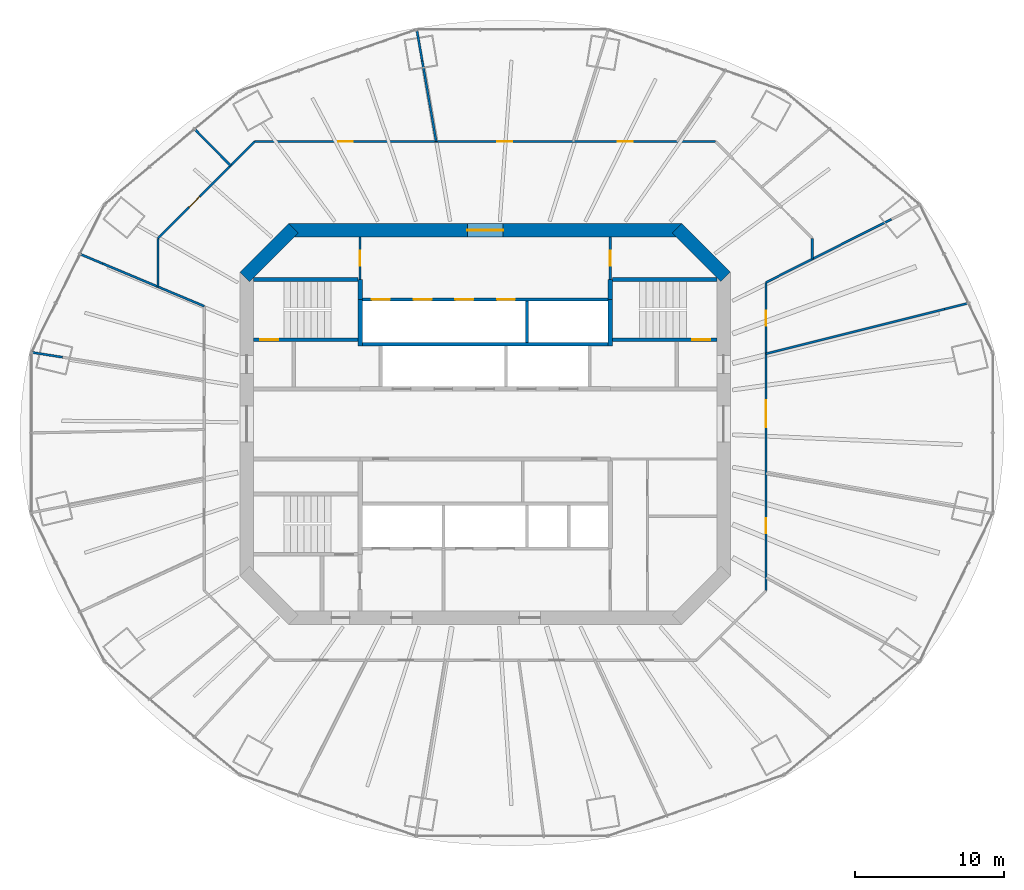
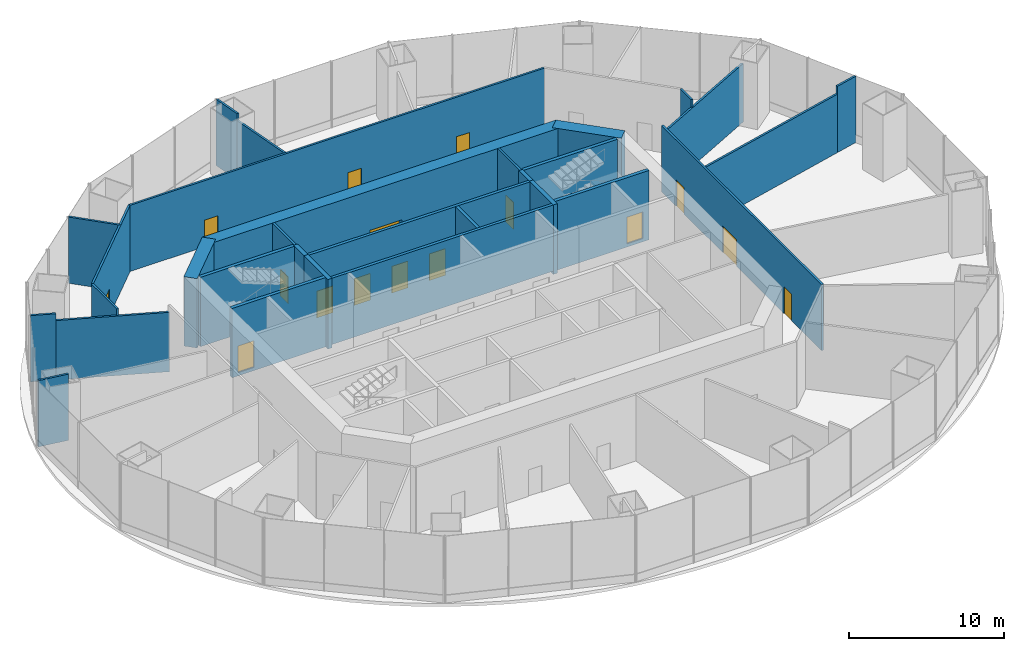
# One storey, part 13 of 15: 30 walls, 16 doors, 16 openings.
"""IFC4 building model written with IfcOpenShell, lengths in metres."""

from ifc_helpers import new_model, si_unit, direction, frame, frame_2d, origin, place, context, subcontext, project, spatial, rectangle, extrude, material, layer, layer_set, type_object, element, fill, save


model = new_model("IFC4")

# Units and contexts
model_context = context("Model", 3, precision=1e-05, world=origin(), true_north=direction((0.0, 1.0)))
body_context = subcontext(model_context, "Body", "Model", "MODEL_VIEW")
ifc_project = project(units=[si_unit("LENGTHUNIT", "METRE"), si_unit("AREAUNIT", "SQUARE_METRE"), si_unit("VOLUMEUNIT", "CUBIC_METRE"), si_unit("PLANEANGLEUNIT", "RADIAN"), si_unit("MASSUNIT", "GRAM", prefix="KILO")], contexts=[model_context])

# Site, building, storey
site_placement = place(None, origin())
site = spatial("IfcSite", under=ifc_project, at=site_placement, CompositionType="ELEMENT")
building_placement = place(site_placement, origin())
building = spatial("IfcBuilding", under=site, at=building_placement, Name="Marenthal Gate Tower", CompositionType="ELEMENT")
storey_placement = place(building_placement, frame((0.0, 0.0, 155.64990234375)))
storey = spatial("IfcBuildingStorey", under=building, at=storey_placement, Name="L33", CompositionType="ELEMENT", Elevation=155.64990234375)

# Wall
ifc_material_1 = material(Name="Concrete 60 MPa", Category="concrete")
ifc_layer_1 = layer(ifc_material_1, 0.89990234375)
ifc_layer_set_1 = layer_set([ifc_layer_1], Name="Core shear wall 900")
wall_type_1 = type_object("IfcWallType", Name="Core shear wall 900", PredefinedType="SHEAR", material=ifc_layer_set_1)
wall_1_placement = place(storey_placement, frame((16.1318359375, 9.8681640625, -0.25), z_axis=(0.0, 0.0, 1.0), x_axis=(-0.707106781187, 0.707106781187, 0.0)))
element("IfcWall", 1, at=wall_1_placement, inside=storey, type_object=wall_type_1, Name="Core wall 03", PredefinedType="SHEAR", context=body_context, shape_type="SweptSolid", body=[
    extrude(rectangle(XDim=4.615478515625, YDim=0.89990234375, at=frame_2d((2.3076171875, 0.0))), origin(), (0.0, 0.0, 1.0), 5.47021484375),
])

# Wall, opening, door
wall_2_placement = place(storey_placement, frame((13.186279296875, 13.0, -0.25), z_axis=(0.0, 0.0, 1.0), x_axis=(-1.0, 0.0, 0.0)))
wall_2 = element("IfcWall", 2, at=wall_2_placement, inside=storey, type_object=wall_type_1, Name="Core wall 04", PredefinedType="SHEAR", context=body_context, shape_type="SweptSolid", body=[
    extrude(rectangle(XDim=26.37255859375, YDim=0.89990234375, at=frame_2d((13.186279296875, 0.0))), origin(), (0.0, 0.0, 1.0), 5.47021484375),
])
opening_1_placement = place(wall_2_placement, frame((11.986328125, 0.0, 0.25)))
opening_1 = element("IfcOpeningElement", 3, at=opening_1_placement, cuts=wall_2, Name="Opening D003.03", PredefinedType="OPENING", context=body_context, shape_type="SweptSolid", body=[
    extrude(rectangle(XDim=2.39990234375, YDim=2.10009765625, at=frame_2d((1.199951171875, 1.050048828125))), frame((0.0, 0.4599609375, 0.0), z_axis=(0.0, -1.0, 0.0), x_axis=(1.0, 0.0, 0.0)), (0.0, 0.0, 1.0), 0.919921875),
])
ifc_material_2 = material(Name="Steel fire door", Category="steel")
door_type_1 = type_object("IfcDoorType", Name="Double fire door FD 45 2400 x 2100", OperationType="DOUBLE_DOOR_SINGLE_SWING", PredefinedType="DOOR", material=ifc_material_2)
door_1_placement = place(opening_1_placement, origin())
door_1 = element("IfcDoor", 4, at=door_1_placement, inside=storey, type_object=door_type_1, Name="Door D003.03", OperationType="DOUBLE_DOOR_SINGLE_SWING", OverallHeight=2.10009765625, OverallWidth=2.39990234375, PredefinedType="DOOR", context=body_context, shape_type="SweptSolid", body=[
    extrude(rectangle(XDim=2.39990234375, YDim=2.10009765625, at=frame_2d((1.199951171875, 1.050048828125))), frame((0.0, 0.02490234375, 0.0), z_axis=(0.0, -1.0, 0.0), x_axis=(1.0, 0.0, 0.0)), (0.0, 0.0, 1.0), 0.050048828125),
])
fill(opening_1, door_1)

# Walls
wall_3_placement = place(storey_placement, frame((-12.8681640625, 13.1318359375, -0.25), z_axis=(0.0, 0.0, 1.0), x_axis=(-0.707106781187, -0.707106781187, 0.0)))
element("IfcWall", 5, at=wall_3_placement, inside=storey, type_object=wall_type_1, Name="Core wall 05", PredefinedType="SHEAR", context=body_context, shape_type="SweptSolid", body=[
    extrude(rectangle(XDim=4.615478515625, YDim=0.89990234375, at=frame_2d((2.3076171875, 0.0))), origin(), (0.0, 0.0, 1.0), 5.47021484375),
])
ifc_material_3 = material(Name="Concrete 50 MPa", Category="concrete")
ifc_layer_2 = layer(ifc_material_3, 0.300048828125)
ifc_layer_set_2 = layer_set([ifc_layer_2], Name="Hoistway shear wall 300")
wall_type_2 = type_object("IfcWallType", Name="Hoistway shear wall 300", PredefinedType="SHEAR", material=ifc_layer_set_2)
for number, where, z_axis, x_axis, name in (
    (6, (-8.39990234375, 5.239990234375, -0.25), (0.0, 0.0, 1.0), (0.0, 1.0, 0.0), "Hoistway wall 31"),
    (7, (8.39990234375, 5.239990234375, -0.25), (0.0, 0.0, 1.0), (0.0, 1.0, 0.0), "Hoistway wall 45"),
):
    element("IfcWall", number, at=place(storey_placement, frame(where, z_axis=z_axis, x_axis=x_axis)), inside=storey, type_object=wall_type_2, Name=name, PredefinedType="SHEAR", context=body_context, shape_type="SweptSolid", body=[
        extrude(rectangle(XDim=3.110107421875, YDim=0.300048828125, at=frame_2d((1.55517578125, 0.0))), origin(), (0.0, 0.0, 1.0), 5.47021484375),
    ])
ifc_material_4 = material(Name="Concrete 40 MPa", Category="concrete")
ifc_layer_3 = layer(ifc_material_4, 0.219970703125)
ifc_layer_set_3 = layer_set([ifc_layer_3], Name="Hoistway wall 220")
wall_type_3 = type_object("IfcWallType", Name="Hoistway wall 220", PredefinedType="STANDARD", material=ifc_layer_set_3)
wall_4_placement = place(storey_placement, frame((-8.25, 5.35009765625, 0.0), z_axis=(0.0, 0.0, 1.0), x_axis=(1.0, 0.0, 0.0)))
element("IfcWall", 8, at=wall_4_placement, inside=storey, type_object=wall_type_3, Name="Hoistway wall 21", PredefinedType="STANDARD", context=body_context, shape_type="SweptSolid", body=[
    extrude(rectangle(XDim=16.5, YDim=0.219970703125, at=frame_2d((8.25, 0.0))), origin(), (0.0, 0.0, 1.0), 5.22021484375),
])

# Wall, openings, doors
wall_5_placement = place(storey_placement, frame((-8.25, 8.35009765625, 0.0), z_axis=(0.0, 0.0, 1.0), x_axis=(1.0, 0.0, 0.0)))
wall_5 = element("IfcWall", 9, at=wall_5_placement, inside=storey, type_object=wall_type_3, Name="Hoistway wall 24", PredefinedType="STANDARD", context=body_context, shape_type="SweptSolid", body=[
    extrude(rectangle(XDim=16.5, YDim=0.219970703125, at=frame_2d((8.25, 0.0))), origin(), (0.0, 0.0, 1.0), 5.22021484375),
])
opening_2_placement = place(wall_5_placement, frame((0.64990234375, 0.0, 0.0)))
opening_2 = element("IfcOpeningElement", 10, at=opening_2_placement, cuts=wall_5, Name="Opening LD-SH1", PredefinedType="OPENING", context=body_context, shape_type="SweptSolid", body=[
    extrude(rectangle(XDim=1.199951171875, YDim=2.10009765625, at=frame_2d((0.60009765625, 1.050048828125))), frame((0.0, 0.1201171875, 0.0), z_axis=(0.0, -1.0, 0.0), x_axis=(1.0, 0.0, 0.0)), (0.0, 0.0, 1.0), 0.239990234375),
])
opening_3_placement = place(wall_5_placement, frame((3.449951171875, 0.0, 0.0)))
opening_3 = element("IfcOpeningElement", 11, at=opening_3_placement, cuts=wall_5, Name="Opening LD-SH2", PredefinedType="OPENING", context=body_context, shape_type="SweptSolid", body=[
    extrude(rectangle(XDim=1.199951171875, YDim=2.10009765625, at=frame_2d((0.60009765625, 1.050048828125))), frame((0.0, 0.1201171875, 0.0), z_axis=(0.0, -1.0, 0.0), x_axis=(1.0, 0.0, 0.0)), (0.0, 0.0, 1.0), 0.239990234375),
])
opening_4_placement = place(wall_5_placement, frame((6.25, 0.0, 0.0)))
opening_4 = element("IfcOpeningElement", 12, at=opening_4_placement, cuts=wall_5, Name="Opening LD-SH3", PredefinedType="OPENING", context=body_context, shape_type="SweptSolid", body=[
    extrude(rectangle(XDim=1.199951171875, YDim=2.10009765625, at=frame_2d((0.60009765625, 1.050048828125))), frame((0.0, 0.1201171875, 0.0), z_axis=(0.0, -1.0, 0.0), x_axis=(1.0, 0.0, 0.0)), (0.0, 0.0, 1.0), 0.239990234375),
])
opening_5_placement = place(wall_5_placement, frame((9.050048828125, 0.0, 0.0)))
opening_5 = element("IfcOpeningElement", 13, at=opening_5_placement, cuts=wall_5, Name="Opening LD-SH4", PredefinedType="OPENING", context=body_context, shape_type="SweptSolid", body=[
    extrude(rectangle(XDim=1.199951171875, YDim=2.10009765625, at=frame_2d((0.60009765625, 1.050048828125))), frame((0.0, 0.1201171875, 0.0), z_axis=(0.0, -1.0, 0.0), x_axis=(1.0, 0.0, 0.0)), (0.0, 0.0, 1.0), 0.239990234375),
])
ifc_material_5 = material(Name="Stainless steel sliding door", Category="steel")
door_type_2 = type_object("IfcDoorType", Name="Lift landing door FD 90 1200 x 2100", OperationType="DOUBLE_DOOR_SLIDING", PredefinedType="DOOR", material=ifc_material_5)
door_2_placement = place(opening_2_placement, origin())
door_2 = element("IfcDoor", 14, at=door_2_placement, inside=storey, type_object=door_type_2, Name="Lift landing door SH1", OperationType="DOUBLE_DOOR_SLIDING", OverallHeight=2.10009765625, OverallWidth=1.199951171875, PredefinedType="DOOR", context=body_context, shape_type="SweptSolid", body=[
    extrude(rectangle(XDim=1.199951171875, YDim=2.10009765625, at=frame_2d((0.60009765625, 1.050048828125))), frame((0.0, 0.02490234375, 0.0), z_axis=(0.0, -1.0, 0.0), x_axis=(1.0, 0.0, 0.0)), (0.0, 0.0, 1.0), 0.050048828125),
])
fill(opening_2, door_2)
door_3_placement = place(opening_3_placement, origin())
door_3 = element("IfcDoor", 15, at=door_3_placement, inside=storey, type_object=door_type_2, Name="Lift landing door SH2", OperationType="DOUBLE_DOOR_SLIDING", OverallHeight=2.10009765625, OverallWidth=1.199951171875, PredefinedType="DOOR", context=body_context, shape_type="SweptSolid", body=[
    extrude(rectangle(XDim=1.199951171875, YDim=2.10009765625, at=frame_2d((0.60009765625, 1.050048828125))), frame((0.0, 0.02490234375, 0.0), z_axis=(0.0, -1.0, 0.0), x_axis=(1.0, 0.0, 0.0)), (0.0, 0.0, 1.0), 0.050048828125),
])
fill(opening_3, door_3)
door_4_placement = place(opening_4_placement, origin())
door_4 = element("IfcDoor", 16, at=door_4_placement, inside=storey, type_object=door_type_2, Name="Lift landing door SH3", OperationType="DOUBLE_DOOR_SLIDING", OverallHeight=2.10009765625, OverallWidth=1.199951171875, PredefinedType="DOOR", context=body_context, shape_type="SweptSolid", body=[
    extrude(rectangle(XDim=1.199951171875, YDim=2.10009765625, at=frame_2d((0.60009765625, 1.050048828125))), frame((0.0, 0.02490234375, 0.0), z_axis=(0.0, -1.0, 0.0), x_axis=(1.0, 0.0, 0.0)), (0.0, 0.0, 1.0), 0.050048828125),
])
fill(opening_4, door_4)
door_5_placement = place(opening_5_placement, origin())
door_5 = element("IfcDoor", 17, at=door_5_placement, inside=storey, type_object=door_type_2, Name="Lift landing door SH4", OperationType="DOUBLE_DOOR_SLIDING", OverallHeight=2.10009765625, OverallWidth=1.199951171875, PredefinedType="DOOR", context=body_context, shape_type="SweptSolid", body=[
    extrude(rectangle(XDim=1.199951171875, YDim=2.10009765625, at=frame_2d((0.60009765625, 1.050048828125))), frame((0.0, 0.02490234375, 0.0), z_axis=(0.0, -1.0, 0.0), x_axis=(1.0, 0.0, 0.0)), (0.0, 0.0, 1.0), 0.050048828125),
])
fill(opening_5, door_5)

# Wall
wall_6_placement = place(storey_placement, frame((2.800048828125, 5.4599609375, 0.0), z_axis=(0.0, 0.0, 1.0), x_axis=(0.0, 1.0, 0.0)))
element("IfcWall", 18, at=wall_6_placement, inside=storey, type_object=wall_type_3, Name="Hoistway wall 40", PredefinedType="STANDARD", context=body_context, shape_type="SweptSolid", body=[
    extrude(rectangle(XDim=2.780029296875, YDim=0.219970703125, at=frame_2d((1.39013671875, 0.0))), origin(), (0.0, 0.0, 1.0), 5.22021484375),
])

# Wall, opening, door
ifc_material_6 = material(Name="Gypsum board on steel studs", Category="steel")
ifc_layer_4 = layer(ifc_material_6, 0.14990234375)
ifc_layer_set_4 = layer_set([ifc_layer_4], Name="Partition 150")
wall_type_4 = type_object("IfcWallType", Name="Partition 150", PredefinedType="PARTITIONING", material=ifc_layer_set_4)
wall_7_placement = place(storey_placement, frame((-8.39990234375, 9.699951171875, 0.0), z_axis=(0.0, 0.0, 1.0), x_axis=(0.0, 1.0, 0.0)))
wall_7 = element("IfcWall", 19, at=wall_7_placement, inside=storey, type_object=wall_type_4, Name="Partition wall 33", PredefinedType="PARTITIONING", context=body_context, shape_type="SweptSolid", body=[
    extrude(rectangle(XDim=2.85009765625, YDim=0.14990234375, at=frame_2d((1.425048828125, 0.0))), origin(), (0.0, 0.0, 1.0), 5.22021484375),
])
opening_6_placement = place(wall_7_placement, frame((0.925048828125, 0.0, 0.0)))
opening_6 = element("IfcOpeningElement", 20, at=opening_6_placement, cuts=wall_7, Name="Opening D005.03", PredefinedType="OPENING", context=body_context, shape_type="SweptSolid", body=[
    extrude(rectangle(XDim=1.0, YDim=2.10009765625, at=frame_2d((0.5, 1.050048828125))), frame((0.0, 0.0849609375, 0.0), z_axis=(0.0, -1.0, 0.0), x_axis=(1.0, 0.0, 0.0)), (0.0, 0.0, 1.0), 0.169921875),
])
ifc_material_7 = material(Name="Steel fire door", Category="steel")
door_type_3 = type_object("IfcDoorType", Name="Fire door FD 45 1000 x 2100", OperationType="NOTDEFINED", PredefinedType="DOOR", material=ifc_material_7)
door_6_placement = place(opening_6_placement, origin())
door_6 = element("IfcDoor", 21, at=door_6_placement, inside=storey, type_object=door_type_3, Name="Door D005.03", OperationType="SINGLE_SWING_RIGHT", OverallHeight=2.10009765625, OverallWidth=1.0, PredefinedType="DOOR", context=body_context, shape_type="SweptSolid", body=[
    extrude(rectangle(XDim=1.0, YDim=2.10009765625, at=frame_2d((0.5, 1.050048828125))), frame((0.0, 0.02490234375, 0.0), z_axis=(0.0, -1.0, 0.0), x_axis=(1.0, 0.0, 0.0)), (0.0, 0.0, 1.0), 0.050048828125),
])
fill(opening_6, door_6)

wall_8_placement = place(storey_placement, frame((8.39990234375, 9.699951171875, 0.0), z_axis=(0.0, 0.0, 1.0), x_axis=(0.0, 1.0, 0.0)))
wall_8 = element("IfcWall", 22, at=wall_8_placement, inside=storey, type_object=wall_type_4, Name="Partition wall 47", PredefinedType="PARTITIONING", context=body_context, shape_type="SweptSolid", body=[
    extrude(rectangle(XDim=2.85009765625, YDim=0.14990234375, at=frame_2d((1.425048828125, 0.0))), origin(), (0.0, 0.0, 1.0), 5.22021484375),
])
opening_7_placement = place(wall_8_placement, frame((0.925048828125, 0.0, 0.0)))
opening_7 = element("IfcOpeningElement", 23, at=opening_7_placement, cuts=wall_8, Name="Opening D005.04", PredefinedType="OPENING", context=body_context, shape_type="SweptSolid", body=[
    extrude(rectangle(XDim=1.0, YDim=2.10009765625, at=frame_2d((0.5, 1.050048828125))), frame((0.0, 0.0849609375, 0.0), z_axis=(0.0, -1.0, 0.0), x_axis=(1.0, 0.0, 0.0)), (0.0, 0.0, 1.0), 0.169921875),
])
door_7_placement = place(opening_7_placement, frame((1.0, 0.0, 0.0), z_axis=(0.0, 0.0, 1.0), x_axis=(-1.0, 0.0, 0.0)))
door_7 = element("IfcDoor", 24, at=door_7_placement, inside=storey, type_object=door_type_3, Name="Door D005.04", OperationType="SINGLE_SWING_LEFT", OverallHeight=2.10009765625, OverallWidth=1.0, PredefinedType="DOOR", context=body_context, shape_type="SweptSolid", body=[
    extrude(rectangle(XDim=1.0, YDim=2.10009765625, at=frame_2d((0.5, 1.050048828125))), frame((0.0, 0.02490234375, 0.0), z_axis=(0.0, -1.0, 0.0), x_axis=(1.0, 0.0, 0.0)), (0.0, 0.0, 1.0), 0.050048828125),
])
fill(opening_7, door_7)

# Wall, openings, doors
wall_9_placement = place(storey_placement, frame((-15.464599609375, 18.949951171875, 0.0), z_axis=(0.0, 0.0, 1.0), x_axis=(1.0, 0.0, 0.0)))
wall_9 = element("IfcWall", 25, at=wall_9_placement, inside=storey, type_object=wall_type_4, Name="Partition wall 51", PredefinedType="PARTITIONING", context=body_context, shape_type="SweptSolid", body=[
    extrude(rectangle(XDim=30.92919921875, YDim=0.14990234375, at=frame_2d((15.464599609375, 0.0))), origin(), (0.0, 0.0, 1.0), 5.22021484375),
])
opening_8_placement = place(wall_9_placement, frame((24.356201171875, 0.0, 0.0)))
opening_8 = element("IfcOpeningElement", 26, at=opening_8_placement, cuts=wall_9, Name="Opening D012.05", PredefinedType="OPENING", context=body_context, shape_type="SweptSolid", body=[
    extrude(rectangle(XDim=1.0, YDim=2.10009765625, at=frame_2d((0.5, 1.050048828125))), frame((0.0, 0.0849609375, 0.0), z_axis=(0.0, -1.0, 0.0), x_axis=(1.0, 0.0, 0.0)), (0.0, 0.0, 1.0), 0.169921875),
])
opening_9_placement = place(wall_9_placement, frame((16.275634765625, 0.0, 0.0)))
opening_9 = element("IfcOpeningElement", 27, at=opening_9_placement, cuts=wall_9, Name="Opening D012.06", PredefinedType="OPENING", context=body_context, shape_type="SweptSolid", body=[
    extrude(rectangle(XDim=1.0, YDim=2.10009765625, at=frame_2d((0.5, 1.050048828125))), frame((0.0, 0.0849609375, 0.0), z_axis=(0.0, -1.0, 0.0), x_axis=(1.0, 0.0, 0.0)), (0.0, 0.0, 1.0), 0.169921875),
])
opening_10_placement = place(wall_9_placement, frame((5.58935546875, 0.0, 0.0)))
opening_10 = element("IfcOpeningElement", 28, at=opening_10_placement, cuts=wall_9, Name="Opening D012.07", PredefinedType="OPENING", context=body_context, shape_type="SweptSolid", body=[
    extrude(rectangle(XDim=1.0, YDim=2.10009765625, at=frame_2d((0.5, 1.050048828125))), frame((0.0, 0.0849609375, 0.0), z_axis=(0.0, -1.0, 0.0), x_axis=(1.0, 0.0, 0.0)), (0.0, 0.0, 1.0), 0.169921875),
])
ifc_material_8 = material(Name="Timber door", Category="wood")
door_type_4 = type_object("IfcDoorType", Name="Door 1000 x 2100", OperationType="NOTDEFINED", PredefinedType="DOOR", material=ifc_material_8)
door_8_placement = place(opening_8_placement, origin())
door_8 = element("IfcDoor", 29, at=door_8_placement, inside=storey, type_object=door_type_4, Name="Door D012.05", OperationType="SINGLE_SWING_RIGHT", OverallHeight=2.10009765625, OverallWidth=1.0, PredefinedType="DOOR", context=body_context, shape_type="SweptSolid", body=[
    extrude(rectangle(XDim=1.0, YDim=2.10009765625, at=frame_2d((0.5, 1.050048828125))), frame((0.0, 0.02490234375, 0.0), z_axis=(0.0, -1.0, 0.0), x_axis=(1.0, 0.0, 0.0)), (0.0, 0.0, 1.0), 0.050048828125),
])
fill(opening_8, door_8)
door_9_placement = place(opening_9_placement, origin())
door_9 = element("IfcDoor", 30, at=door_9_placement, inside=storey, type_object=door_type_4, Name="Door D012.06", OperationType="SINGLE_SWING_RIGHT", OverallHeight=2.10009765625, OverallWidth=1.0, PredefinedType="DOOR", context=body_context, shape_type="SweptSolid", body=[
    extrude(rectangle(XDim=1.0, YDim=2.10009765625, at=frame_2d((0.5, 1.050048828125))), frame((0.0, 0.02490234375, 0.0), z_axis=(0.0, -1.0, 0.0), x_axis=(1.0, 0.0, 0.0)), (0.0, 0.0, 1.0), 0.050048828125),
])
fill(opening_9, door_9)
door_10_placement = place(opening_10_placement, frame((1.0, 0.0, 0.0), z_axis=(0.0, 0.0, 1.0), x_axis=(-1.0, 0.0, 0.0)))
door_10 = element("IfcDoor", 31, at=door_10_placement, inside=storey, type_object=door_type_4, Name="Door D012.07", OperationType="SINGLE_SWING_LEFT", OverallHeight=2.10009765625, OverallWidth=1.0, PredefinedType="DOOR", context=body_context, shape_type="SweptSolid", body=[
    extrude(rectangle(XDim=1.0, YDim=2.10009765625, at=frame_2d((0.5, 1.050048828125))), frame((0.0, 0.02490234375, 0.0), z_axis=(0.0, -1.0, 0.0), x_axis=(1.0, 0.0, 0.0)), (0.0, 0.0, 1.0), 0.050048828125),
])
fill(opening_10, door_10)

# Walls
wall_10_placement = place(storey_placement, frame((18.85009765625, 4.713134765625, 0.0), z_axis=(0.0, 0.0, 1.0), x_axis=(0.970133188506, 0.242572868557, 0.0)))
element("IfcWall", 32, at=wall_10_placement, inside=storey, type_object=wall_type_4, Name="Partition wall 53", PredefinedType="PARTITIONING", context=body_context, shape_type="SweptSolid", body=[
    extrude(rectangle(XDim=12.33935546875, YDim=0.14990234375, at=frame_2d((6.169677734375, 0.0))), origin(), (0.0, 0.0, 1.0), 4.608154296875),
])
wall_11_placement = place(storey_placement, frame((30.82080078125, 7.706298828125, 0.0), z_axis=(0.0, 0.0, 1.0), x_axis=(0.97015129404, 0.242500446746, 0.0)))
element("IfcWall", 33, at=wall_11_placement, inside=storey, type_object=wall_type_4, Name="Partition wall 83", PredefinedType="PARTITIONING", context=body_context, shape_type="SweptSolid", body=[
    extrude(rectangle(XDim=1.633056640625, YDim=0.14990234375, at=frame_2d((0.81640625, 0.0))), origin(), (0.0, 0.0, 1.0), 5.22021484375),
])
wall_12_placement = place(storey_placement, frame((18.85009765625, 9.501708984375, 0.0), z_axis=(0.0, 0.0, 1.0), x_axis=(0.892969898895, 0.450116384579, 0.0)))
element("IfcWall", 34, at=wall_12_placement, inside=storey, type_object=wall_type_4, Name="Partition wall 54", PredefinedType="PARTITIONING", context=body_context, shape_type="SweptSolid", body=[
    extrude(rectangle(XDim=9.412109375, YDim=0.14990234375, at=frame_2d((4.7060546875, 0.0))), origin(), (0.0, 0.0, 1.0), 4.608154296875),
])

# Wall, opening, door
wall_13_placement = place(storey_placement, frame((-21.949951171875, 12.464599609375, 0.0), z_axis=(0.0, 0.0, 1.0), x_axis=(0.707106781187, 0.707106781187, 0.0)))
wall_13 = element("IfcWall", 35, at=wall_13_placement, inside=storey, type_object=wall_type_4, Name="Partition wall 57", PredefinedType="PARTITIONING", context=body_context, shape_type="SweptSolid", body=[
    extrude(rectangle(XDim=9.171630859375, YDim=0.14990234375, at=frame_2d((4.5859375, 0.0))), origin(), (0.0, 0.0, 1.0), 5.22021484375),
])
opening_11_placement = place(wall_13_placement, frame((2.9423828125, 0.0, 0.0)))
opening_11 = element("IfcOpeningElement", 36, at=opening_11_placement, cuts=wall_13, Name="Opening D012.08", PredefinedType="OPENING", context=body_context, shape_type="SweptSolid", body=[
    extrude(rectangle(XDim=1.0, YDim=2.10009765625, at=frame_2d((0.5, 1.050048828125))), frame((0.0, 0.0849609375, 0.0), z_axis=(0.0, -1.0, 0.0), x_axis=(1.0, 0.0, 0.0)), (0.0, 0.0, 1.0), 0.169921875),
])
door_11_placement = place(opening_11_placement, origin())
door_11 = element("IfcDoor", 37, at=door_11_placement, inside=storey, type_object=door_type_4, Name="Door D012.08", OperationType="SINGLE_SWING_RIGHT", OverallHeight=2.10009765625, OverallWidth=1.0, PredefinedType="DOOR", context=body_context, shape_type="SweptSolid", body=[
    extrude(rectangle(XDim=1.0, YDim=2.10009765625, at=frame_2d((0.5, 1.050048828125))), frame((0.0, 0.02490234375, 0.0), z_axis=(0.0, -1.0, 0.0), x_axis=(1.0, 0.0, 0.0)), (0.0, 0.0, 1.0), 0.050048828125),
])
fill(opening_11, door_11)

# Wall
wall_14_placement = place(storey_placement, frame((21.949951171875, 11.064208984375, 0.0), z_axis=(0.0, 0.0, 1.0), x_axis=(0.0, 1.0, 0.0)))
element("IfcWall", 38, at=wall_14_placement, inside=storey, type_object=wall_type_4, Name="Partition wall 62", PredefinedType="PARTITIONING", context=body_context, shape_type="SweptSolid", body=[
    extrude(rectangle(XDim=1.400390625, YDim=0.14990234375, at=frame_2d((0.7001953125, 0.0))), origin(), (0.0, 0.0, 1.0), 5.22021484375),
])

# Wall, openings, doors
wall_15_placement = place(storey_placement, frame((18.85009765625, -11.180419921875, 0.0), z_axis=(0.0, 0.0, 1.0), x_axis=(0.0, 1.0, 0.0)))
wall_15 = element("IfcWall", 39, at=wall_15_placement, inside=storey, type_object=wall_type_4, Name="Partition wall 63", PredefinedType="PARTITIONING", context=body_context, shape_type="SweptSolid", body=[
    extrude(rectangle(XDim=20.6875, YDim=0.14990234375, at=frame_2d((10.34375, 0.0))), origin(), (0.0, 0.0, 1.0), 5.22021484375),
])
opening_12_placement = place(wall_15_placement, frame((3.857421875, 0.0, 0.0)))
opening_12 = element("IfcOpeningElement", 40, at=opening_12_placement, cuts=wall_15, Name="Opening D012.01", PredefinedType="OPENING", context=body_context, shape_type="SweptSolid", body=[
    extrude(rectangle(XDim=1.0, YDim=2.10009765625, at=frame_2d((0.5, 1.050048828125))), frame((0.0, 0.0849609375, 0.0), z_axis=(0.0, -1.0, 0.0), x_axis=(1.0, 0.0, 0.0)), (0.0, 0.0, 1.0), 0.169921875),
])
opening_13_placement = place(wall_15_placement, frame((10.973876953125, 0.0, 0.0)))
opening_13 = element("IfcOpeningElement", 41, at=opening_13_placement, cuts=wall_15, Name="Opening D014.01", PredefinedType="OPENING", context=body_context, shape_type="SweptSolid", body=[
    extrude(rectangle(XDim=1.800048828125, YDim=2.10009765625, at=frame_2d((0.89990234375, 1.050048828125))), frame((0.0, 0.0849609375, 0.0), z_axis=(0.0, -1.0, 0.0), x_axis=(1.0, 0.0, 0.0)), (0.0, 0.0, 1.0), 0.169921875),
])
opening_14_placement = place(wall_15_placement, frame((17.787841796875, 0.0, 0.0)))
opening_14 = element("IfcOpeningElement", 42, at=opening_14_placement, cuts=wall_15, Name="Opening D012.02", PredefinedType="OPENING", context=body_context, shape_type="SweptSolid", body=[
    extrude(rectangle(XDim=1.0, YDim=2.10009765625, at=frame_2d((0.5, 1.050048828125))), frame((0.0, 0.0849609375, 0.0), z_axis=(0.0, -1.0, 0.0), x_axis=(1.0, 0.0, 0.0)), (0.0, 0.0, 1.0), 0.169921875),
])
door_12_placement = place(opening_12_placement, frame((1.0, 0.0, 0.0), z_axis=(0.0, 0.0, 1.0), x_axis=(-1.0, 0.0, 0.0)))
door_12 = element("IfcDoor", 43, at=door_12_placement, inside=storey, type_object=door_type_4, Name="Door D012.01", OperationType="SINGLE_SWING_LEFT", OverallHeight=2.10009765625, OverallWidth=1.0, PredefinedType="DOOR", context=body_context, shape_type="SweptSolid", body=[
    extrude(rectangle(XDim=1.0, YDim=2.10009765625, at=frame_2d((0.5, 1.050048828125))), frame((0.0, 0.02490234375, 0.0), z_axis=(0.0, -1.0, 0.0), x_axis=(1.0, 0.0, 0.0)), (0.0, 0.0, 1.0), 0.050048828125),
])
fill(opening_12, door_12)
door_13_placement = place(opening_14_placement, frame((1.0, 0.0, 0.0), z_axis=(0.0, 0.0, 1.0), x_axis=(-1.0, 0.0, 0.0)))
door_13 = element("IfcDoor", 44, at=door_13_placement, inside=storey, type_object=door_type_4, Name="Door D012.02", OperationType="SINGLE_SWING_LEFT", OverallHeight=2.10009765625, OverallWidth=1.0, PredefinedType="DOOR", context=body_context, shape_type="SweptSolid", body=[
    extrude(rectangle(XDim=1.0, YDim=2.10009765625, at=frame_2d((0.5, 1.050048828125))), frame((0.0, 0.02490234375, 0.0), z_axis=(0.0, -1.0, 0.0), x_axis=(1.0, 0.0, 0.0)), (0.0, 0.0, 1.0), 0.050048828125),
])
fill(opening_14, door_13)
ifc_material_9 = material(Name="Timber door", Category="wood")
door_type_5 = type_object("IfcDoorType", Name="Double door 1800 x 2100", OperationType="DOUBLE_DOOR_SINGLE_SWING", PredefinedType="DOOR", material=ifc_material_9)
door_14_placement = place(opening_13_placement, origin())
door_14 = element("IfcDoor", 45, at=door_14_placement, inside=storey, type_object=door_type_5, Name="Door D014.01", OperationType="DOUBLE_DOOR_SINGLE_SWING", OverallHeight=2.10009765625, OverallWidth=1.800048828125, PredefinedType="DOOR", context=body_context, shape_type="SweptSolid", body=[
    extrude(rectangle(XDim=1.800048828125, YDim=2.10009765625, at=frame_2d((0.89990234375, 1.050048828125))), frame((0.0, 0.02490234375, 0.0), z_axis=(0.0, -1.0, 0.0), x_axis=(1.0, 0.0, 0.0)), (0.0, 0.0, 1.0), 0.050048828125),
])
fill(opening_13, door_14)

# Walls
wall_16_placement = place(storey_placement, frame((-21.949951171875, 9.204833984375, 0.0), z_axis=(0.0, 0.0, 1.0), x_axis=(0.0, 1.0, 0.0)))
element("IfcWall", 46, at=wall_16_placement, inside=storey, type_object=wall_type_4, Name="Partition wall 65", PredefinedType="PARTITIONING", context=body_context, shape_type="SweptSolid", body=[
    extrude(rectangle(XDim=3.259765625, YDim=0.14990234375, at=frame_2d((1.6298828125, 0.0))), origin(), (0.0, 0.0, 1.0), 5.22021484375),
])
wall_17_placement = place(storey_placement, frame((-3.285888671875, 18.949951171875, 0.0), z_axis=(0.0, 0.0, 1.0), x_axis=(-0.170824075094, 0.9853015454, 0.0)))
element("IfcWall", 47, at=wall_17_placement, inside=storey, type_object=wall_type_4, Name="Partition wall 67", PredefinedType="PARTITIONING", context=body_context, shape_type="SweptSolid", body=[
    extrude(rectangle(XDim=5.49951171875, YDim=0.14990234375, at=frame_2d((2.749755859375, 0.0))), origin(), (0.0, 0.0, 1.0), 4.676025390625),
])
wall_18_placement = place(storey_placement, frame((-4.225341796875, 24.36865234375, 0.0), z_axis=(0.0, 0.0, 1.0), x_axis=(-0.170792731179, 0.985306979056, 0.0)))
element("IfcWall", 48, at=wall_18_placement, inside=storey, type_object=wall_type_4, Name="Partition wall 88", PredefinedType="PARTITIONING", context=body_context, shape_type="SweptSolid", body=[
    extrude(rectangle(XDim=2.104248046875, YDim=0.14990234375, at=frame_2d((1.05224609375, 0.0))), origin(), (0.0, 0.0, 1.0), 5.22021484375),
])
wall_19_placement = place(storey_placement, frame((-17.08154296875, 17.3330078125, 0.0), z_axis=(0.0, 0.0, 1.0), x_axis=(-0.701943933614, 0.712232205157, 0.0)))
element("IfcWall", 49, at=wall_19_placement, inside=storey, type_object=wall_type_4, Name="Partition wall 69", PredefinedType="PARTITIONING", context=body_context, shape_type="SweptSolid", body=[
    extrude(rectangle(XDim=3.44091796875, YDim=0.14990234375, at=frame_2d((1.720458984375, 0.0))), origin(), (0.0, 0.0, 1.0), 5.22021484375),
])
wall_20_placement = place(storey_placement, frame((-18.85009765625, 7.90478515625, 0.0), z_axis=(0.0, 0.0, 1.0), x_axis=(-0.922196281158, 0.386722147049, 0.0)))
element("IfcWall", 50, at=wall_20_placement, inside=storey, type_object=wall_type_4, Name="Partition wall 74", PredefinedType="PARTITIONING", context=body_context, shape_type="SweptSolid", body=[
    extrude(rectangle(XDim=7.393798828125, YDim=0.14990234375, at=frame_2d((3.69677734375, 0.0))), origin(), (0.0, 0.0, 1.0), 4.68408203125),
])
wall_21_placement = place(storey_placement, frame((-25.668701171875, 10.76416015625, 0.0), z_axis=(0.0, 0.0, 1.0), x_axis=(-0.922165205367, 0.386796243532, 0.0)))
element("IfcWall", 51, at=wall_21_placement, inside=storey, type_object=wall_type_4, Name="Partition wall 91", PredefinedType="PARTITIONING", context=body_context, shape_type="SweptSolid", body=[
    extrude(rectangle(XDim=1.63671875, YDim=0.14990234375, at=frame_2d((0.818359375, 0.0))), origin(), (0.0, 0.0, 1.0), 5.22021484375),
])
wall_22_placement = place(storey_placement, frame((-28.356689453125, 4.478515625, 0.0), z_axis=(0.0, 0.0, 1.0), x_axis=(-0.987758256006, 0.155992396262, 0.0)))
element("IfcWall", 52, at=wall_22_placement, inside=storey, type_object=wall_type_4, Name="Partition wall 93", PredefinedType="PARTITIONING", context=body_context, shape_type="SweptSolid", body=[
    extrude(rectangle(XDim=2.101806640625, YDim=0.14990234375, at=frame_2d((1.05078125, 0.0))), origin(), (0.0, 0.0, 1.0), 5.22021484375),
])

# Wall, opening, door
ifc_material_10 = material(Name="Concrete 50 MPa", Category="concrete")
ifc_layer_5 = layer(ifc_material_10, 0.25)
ifc_layer_set_5 = layer_set([ifc_layer_5], Name="Stair shear wall 250")
wall_type_5 = type_object("IfcWallType", Name="Stair shear wall 250", PredefinedType="SHEAR", material=ifc_layer_set_5)
wall_23_placement = place(storey_placement, frame((-15.550048828125, 5.64990234375, -0.25), z_axis=(0.0, 0.0, 1.0), x_axis=(1.0, 0.0, 0.0)))
wall_23 = element("IfcWall", 53, at=wall_23_placement, inside=storey, type_object=wall_type_5, Name="Stair wall 22", PredefinedType="SHEAR", context=body_context, shape_type="SweptSolid", body=[
    extrude(rectangle(XDim=7.0, YDim=0.25, at=frame_2d((3.5, 0.0))), origin(), (0.0, 0.0, 1.0), 5.47021484375),
])
opening_15_placement = place(wall_23_placement, frame((0.449951171875, 0.0, 0.25)))
opening_15 = element("IfcOpeningElement", 54, at=opening_15_placement, cuts=wall_23, Name="Opening D001.01", PredefinedType="OPENING", context=body_context, shape_type="SweptSolid", body=[
    extrude(rectangle(XDim=1.199951171875, YDim=2.10009765625, at=frame_2d((0.60009765625, 1.050048828125))), frame((0.0, 0.135009765625, 0.0), z_axis=(0.0, -1.0, 0.0), x_axis=(1.0, 0.0, 0.0)), (0.0, 0.0, 1.0), 0.27001953125),
])
ifc_material_11 = material(Name="Steel fire door", Category="steel")
door_type_6 = type_object("IfcDoorType", Name="Fire door FD 90 1200 x 2100", OperationType="NOTDEFINED", PredefinedType="DOOR", material=ifc_material_11)
door_15_placement = place(opening_15_placement, origin())
door_15 = element("IfcDoor", 55, at=door_15_placement, inside=storey, type_object=door_type_6, Name="Door D001.01", OperationType="SINGLE_SWING_RIGHT", OverallHeight=2.10009765625, OverallWidth=1.199951171875, PredefinedType="DOOR", context=body_context, shape_type="SweptSolid", body=[
    extrude(rectangle(XDim=1.199951171875, YDim=2.10009765625, at=frame_2d((0.60009765625, 1.050048828125))), frame((0.0, 0.02490234375, 0.0), z_axis=(0.0, -1.0, 0.0), x_axis=(1.0, 0.0, 0.0)), (0.0, 0.0, 1.0), 0.050048828125),
])
fill(opening_15, door_15)

wall_24_placement = place(storey_placement, frame((8.550048828125, 5.64990234375, -0.25), z_axis=(0.0, 0.0, 1.0), x_axis=(1.0, 0.0, 0.0)))
wall_24 = element("IfcWall", 56, at=wall_24_placement, inside=storey, type_object=wall_type_5, Name="Stair wall 23", PredefinedType="SHEAR", context=body_context, shape_type="SweptSolid", body=[
    extrude(rectangle(XDim=7.0, YDim=0.25, at=frame_2d((3.5, 0.0))), origin(), (0.0, 0.0, 1.0), 5.47021484375),
])
opening_16_placement = place(wall_24_placement, frame((5.35009765625, 0.0, 0.25)))
opening_16 = element("IfcOpeningElement", 57, at=opening_16_placement, cuts=wall_24, Name="Opening D001.02", PredefinedType="OPENING", context=body_context, shape_type="SweptSolid", body=[
    extrude(rectangle(XDim=1.199951171875, YDim=2.10009765625, at=frame_2d((0.60009765625, 1.050048828125))), frame((0.0, 0.135009765625, 0.0), z_axis=(0.0, -1.0, 0.0), x_axis=(1.0, 0.0, 0.0)), (0.0, 0.0, 1.0), 0.27001953125),
])
door_16_placement = place(opening_16_placement, origin())
door_16 = element("IfcDoor", 58, at=door_16_placement, inside=storey, type_object=door_type_6, Name="Door D001.02", OperationType="SINGLE_SWING_RIGHT", OverallHeight=2.10009765625, OverallWidth=1.199951171875, PredefinedType="DOOR", context=body_context, shape_type="SweptSolid", body=[
    extrude(rectangle(XDim=1.199951171875, YDim=2.10009765625, at=frame_2d((0.60009765625, 1.050048828125))), frame((0.0, 0.02490234375, 0.0), z_axis=(0.0, -1.0, 0.0), x_axis=(1.0, 0.0, 0.0)), (0.0, 0.0, 1.0), 0.050048828125),
])
fill(opening_16, door_16)

# Walls
for number, where, z_axis, x_axis, name in (
    (59, (-15.550048828125, 9.699951171875, -0.25), (0.0, 0.0, 1.0), (1.0, 0.0, 0.0), "Stair wall 25"),
    (60, (8.550048828125, 9.699951171875, -0.25), (0.0, 0.0, 1.0), (1.0, 0.0, 0.0), "Stair wall 26"),
):
    element("IfcWall", number, at=place(storey_placement, frame(where, z_axis=z_axis, x_axis=x_axis)), inside=storey, type_object=wall_type_5, Name=name, PredefinedType="SHEAR", context=body_context, shape_type="SweptSolid", body=[
        extrude(rectangle(XDim=7.0, YDim=0.25, at=frame_2d((3.5, 0.0))), origin(), (0.0, 0.0, 1.0), 5.47021484375),
    ])
ifc_material_12 = material(Name="Concrete 50 MPa", Category="concrete")
ifc_layer_6 = layer(ifc_material_12, 0.300048828125)
ifc_layer_set_6 = layer_set([ifc_layer_6], Name="Stair shear wall 300")
wall_type_6 = type_object("IfcWallType", Name="Stair shear wall 300", PredefinedType="SHEAR", material=ifc_layer_set_6)
for number, where, z_axis, x_axis, name in (
    (61, (-8.39990234375, 8.35009765625, -0.25), (0.0, 0.0, 1.0), (0.0, 1.0, 0.0), "Stair wall 32"),
    (62, (8.39990234375, 8.35009765625, -0.25), (0.0, 0.0, 1.0), (0.0, 1.0, 0.0), "Stair wall 46"),
):
    element("IfcWall", number, at=place(storey_placement, frame(where, z_axis=z_axis, x_axis=x_axis)), inside=storey, type_object=wall_type_6, Name=name, PredefinedType="SHEAR", context=body_context, shape_type="SweptSolid", body=[
        extrude(rectangle(XDim=1.349853515625, YDim=0.300048828125, at=frame_2d((0.6748046875, 0.0))), origin(), (0.0, 0.0, 1.0), 5.47021484375),
    ])

save(model, "model.ifc")
